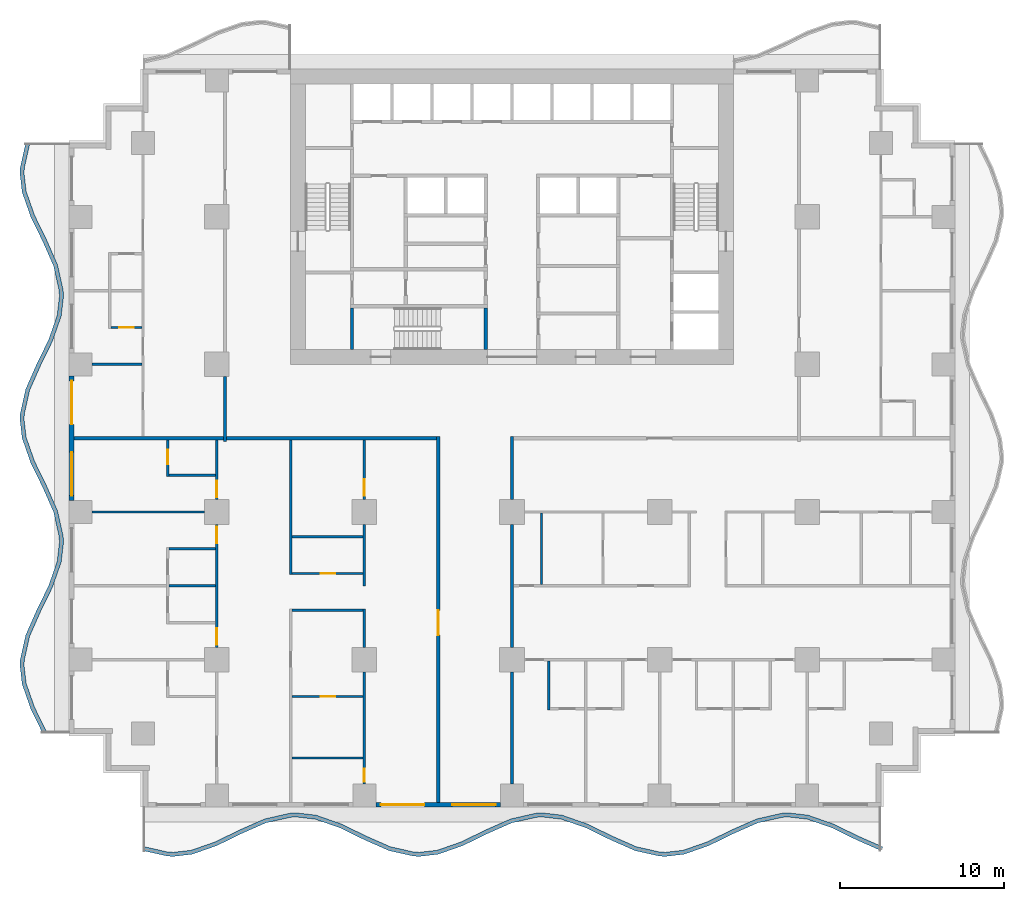
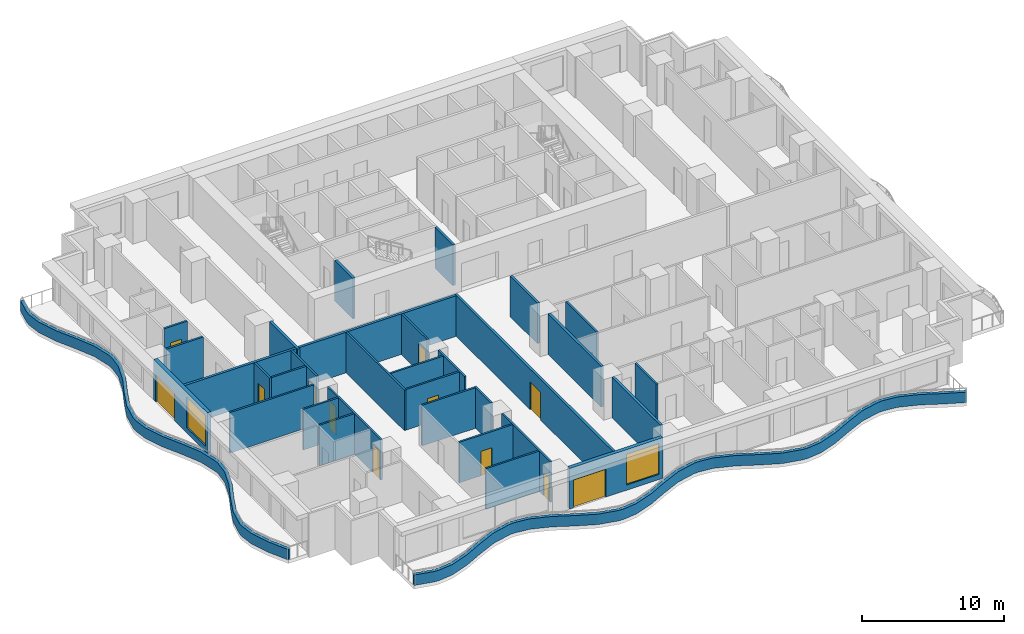
# One storey, part 2 of 14: 34 walls, 12 doors, 2 windows, 14 openings.
"""IFC4 building model written with IfcOpenShell, lengths in metres."""

import ifcopenshell
import ifcopenshell.guid

model = None  # the IFC model being written
_history = None  # IfcOwnerHistory: only IFC2X3 demands one
_inside = {}  # id of a spatial element -> (the spatial element, [elements in it])
_under = {}  # id of a project, library or spatial element -> (it, [spatial elements below it])
_declared = {}  # id of a project -> (the project, [libraries it declares])
_typed = {}  # id of a type object -> (the type object, [elements of that type])
_made_of = {}  # id of a material, layer set ... -> (it, [elements and type objects made of it])


def new_model(schema):
    """Start an empty IFC model of exactly this schema.

    Asked for "IFC4X3", IfcOpenShell would pick the latest addendum, in which some entities
    have other attributes; the version numbers below select the first issue.
    IFC2X3 requires an IfcOwnerHistory on every rooted entity: one is made here for all.
    """
    global model, _history
    if schema == "IFC4X3":
        model = ifcopenshell.file(schema_version=(4, 3, 0, 0))
    else:
        model = ifcopenshell.file(schema=schema)
    _inside.clear()
    _under.clear()
    _declared.clear()
    _typed.clear()
    _made_of.clear()
    _history = None
    if model.schema == "IFC2X3":
        org = make("IfcOrganization", Name="unknown")
        user = make(
            "IfcPersonAndOrganization",
            ThePerson=make("IfcPerson", FamilyName="unknown"),
            TheOrganization=org,
        )
        app = make(
            "IfcApplication",
            ApplicationDeveloper=org,
            Version="unknown",
            ApplicationFullName="unknown",
            ApplicationIdentifier="unknown",
        )
        _history = make(
            "IfcOwnerHistory",
            OwningUser=user,
            OwningApplication=app,
            ChangeAction="ADDED",
            CreationDate=0,
        )
    return model


def make(cls, **values):
    """One entity of the class cls with the attributes given. An attribute that is None is left unset."""
    return model.create_entity(
        cls, **{name: value for name, value in values.items() if value is not None}
    )


def rooted(cls, **values):
    """An entity with a GlobalId (a new one), such as an element, a storey or a relation."""
    return make(cls, GlobalId=ifcopenshell.guid.new(), OwnerHistory=_history, **values)


def si_unit(unit_type, name, prefix=None):
    """IfcSIUnit, for example si_unit("LENGTHUNIT", "METRE", prefix="MILLI")."""
    return make("IfcSIUnit", UnitType=unit_type, Prefix=prefix, Name=name)


def assignment(units):
    """IfcUnitAssignment: the units of a project."""
    return None if units is None else make("IfcUnitAssignment", Units=units)


def point(xyz):
    """IfcCartesianPoint."""
    return None if xyz is None else make("IfcCartesianPoint", Coordinates=xyz)


def direction(xyz):
    """IfcDirection."""
    return None if xyz is None else make("IfcDirection", DirectionRatios=xyz)


def frame(location, z_axis=None, x_axis=None):
    """IfcAxis2Placement3D, a coordinate frame: its origin and axes. An axis left out is left unset."""
    return make(
        "IfcAxis2Placement3D",
        Location=point(location),
        Axis=direction(z_axis),
        RefDirection=direction(x_axis),
    )


def frame_2d(location, x_axis=None):
    """IfcAxis2Placement2D, a coordinate frame in the plane: its origin and x axis."""
    return make(
        "IfcAxis2Placement2D", Location=point(location), RefDirection=direction(x_axis)
    )


def origin():
    """The frame at (0, 0, 0) with its axes left unset."""
    return frame((0.0, 0.0, 0.0))


def place(relative_to, where):
    """IfcLocalPlacement: puts the frame where relative to a parent placement (None: the world)."""
    return make(
        "IfcLocalPlacement", PlacementRelTo=relative_to, RelativePlacement=where
    )


def context(
    kind, dimensions, precision=None, world=None, true_north=None, identifier=None
):
    """IfcGeometricRepresentationContext, for example the 3D "Model" context."""
    return make(
        "IfcGeometricRepresentationContext",
        ContextIdentifier=identifier,
        ContextType=kind,
        CoordinateSpaceDimension=dimensions,
        Precision=precision,
        WorldCoordinateSystem=world,
        TrueNorth=true_north,
    )


def subcontext(parent, identifier, kind, view, scale=None):
    """IfcGeometricRepresentationSubContext, for example "Body" below "Model"."""
    return make(
        "IfcGeometricRepresentationSubContext",
        ContextIdentifier=identifier,
        ContextType=kind,
        ParentContext=parent,
        TargetScale=scale,
        TargetView=view,
    )


def project(units=None, contexts=None):
    """IfcProject with its units and contexts."""
    return rooted(
        "IfcProject",
        Name="project",
        RepresentationContexts=contexts,
        UnitsInContext=assignment(units),
    )


def spatial(cls, under=None, at=None, **own):
    """A site, building, storey or space (cls), placed at a placement, below another one or the project."""
    s = rooted(cls, ObjectPlacement=at, **own)
    if under is not None:
        _under.setdefault(under.id(), (under, []))[1].append(s)
    return s


def polyline(points):
    """IfcPolyline through the points."""
    return make("IfcPolyline", Points=[point(p) for p in points])


def profile(cls, at=None, kind="AREA", **sizes):
    """A parametric profile (cls). Its sizes go by their IFC names, for example OverallWidth=200.0."""
    return make(cls, ProfileType=kind, Position=at, **sizes)


def rectangle(**sizes):
    """IfcRectangleProfileDef."""
    return profile("IfcRectangleProfileDef", **sizes)


def outline(outer, holes=None, kind="AREA"):
    """IfcArbitraryClosedProfileDef: a profile drawn as a closed curve; with holes, ...WithVoids."""
    if holes is None:
        return make("IfcArbitraryClosedProfileDef", ProfileType=kind, OuterCurve=outer)
    return make(
        "IfcArbitraryProfileDefWithVoids",
        ProfileType=kind,
        OuterCurve=outer,
        InnerCurves=holes,
    )


def extrude(swept, where, along, depth):
    """IfcExtrudedAreaSolid: the profile swept, set in the frame where, extruded along a direction by depth."""
    return make(
        "IfcExtrudedAreaSolid",
        SweptArea=swept,
        Position=where,
        ExtrudedDirection=direction(along),
        Depth=depth,
    )


def shape(context_of_items, identifier, shape_type, items):
    """IfcShapeRepresentation: the items that make up one representation, for example the "Body"."""
    return make(
        "IfcShapeRepresentation",
        ContextOfItems=context_of_items,
        RepresentationIdentifier=identifier,
        RepresentationType=shape_type,
        Items=items,
    )


def material(Name=None, Category=None):
    """IfcMaterial."""
    return make("IfcMaterial", Name=Name, Category=Category)


def layer(
    of_material, thickness, ventilated=None, Name=None, Category=None, Priority=None
):
    """IfcMaterialLayer: one layer of a wall or slab, of a material (None: an air gap)."""
    return make(
        "IfcMaterialLayer",
        Material=of_material,
        LayerThickness=thickness,
        IsVentilated=ventilated,
        Name=Name,
        Category=Category,
        Priority=Priority,
    )


def layer_set(layers, Name=None):
    """IfcMaterialLayerSet."""
    return make("IfcMaterialLayerSet", MaterialLayers=layers, LayerSetName=Name)


def made_of(thing, what):
    """Note that an element or type object is made of a material, layer set ...; save() writes the relation."""
    if what is not None:
        _made_of.setdefault(what.id(), (what, []))[1].append(thing)
    return thing


def type_object(cls, material=None, **own):
    """A type object (cls), such as IfcWallType, which elements share."""
    return made_of(rooted(cls, **own), material)


def element(
    cls,
    number,
    at=None,
    inside=None,
    cuts=None,
    type_object=None,
    material=None,
    context=None,
    identifier="Body",
    shape_type=None,
    held_by="IfcProductDefinitionShape",
    body=None,
    shapes=None,
    **own,
):
    """One element of the class cls, such as IfcWall. Its Tag is "e" and its number.

    at: its placement. inside: the storey or other place that contains it. cuts: it is an
    opening in that element (IfcRelVoidsElement). A single representation is given by context,
    identifier, shape_type and body (its items); several are given by shapes. held_by: the class
    of the entity that holds the representations. save() writes the other relations.
    """
    e = rooted(cls, Tag="e%d" % number, ObjectPlacement=at, **own)
    if body is not None:
        shapes = [shape(context, identifier, shape_type, body)]
    if shapes is not None:
        e.Representation = make(held_by, Representations=shapes)
    if inside is not None:
        _inside.setdefault(inside.id(), (inside, []))[1].append(e)
    if cuts is not None:
        rooted(
            "IfcRelVoidsElement", RelatingBuildingElement=cuts, RelatedOpeningElement=e
        )
    if type_object is not None:
        _typed.setdefault(type_object.id(), (type_object, []))[1].append(e)
    return made_of(e, material)


def fill(opening, filler):
    """IfcRelFillsElement: the door or window that sits in an opening."""
    return rooted(
        "IfcRelFillsElement",
        RelatingOpeningElement=opening,
        RelatedBuildingElement=filler,
    )


def aggregate(whole, parts):
    """IfcRelAggregates: a whole, such as a stair, and the parts it consists of."""
    return rooted("IfcRelAggregates", RelatingObject=whole, RelatedObjects=parts)


def save(model, path):
    """Write the relations noted so far, then the file.

    IfcRelAggregates (storeys below a building ...), IfcRelContainedInSpatialStructure (elements
    in a storey), IfcRelDefinesByType, IfcRelAssociatesMaterial and IfcRelDeclares: one each for
    every whole, place, type object, material and project.
    """
    for whole, parts in _under.values():
        aggregate(whole, parts)
    for where, things in _inside.values():
        rooted(
            "IfcRelContainedInSpatialStructure",
            RelatedElements=things,
            RelatingStructure=where,
        )
    for kind, things in _typed.values():
        rooted("IfcRelDefinesByType", RelatedObjects=things, RelatingType=kind)
    for what, things in _made_of.values():
        rooted("IfcRelAssociatesMaterial", RelatedObjects=things, RelatingMaterial=what)
    for by, libraries in _declared.values():
        rooted("IfcRelDeclares", RelatingContext=by, RelatedDefinitions=libraries)
    model.write(path)


model = new_model("IFC4")

# Units and contexts
model_context = context("Model", 3, precision=1e-05, world=origin(), true_north=direction((0.0, 1.0)))
body_context = subcontext(model_context, "Body", "Model", "MODEL_VIEW")
ifc_project = project(units=[si_unit("LENGTHUNIT", "METRE"), si_unit("AREAUNIT", "SQUARE_METRE"), si_unit("VOLUMEUNIT", "CUBIC_METRE"), si_unit("PLANEANGLEUNIT", "RADIAN"), si_unit("MASSUNIT", "GRAM", prefix="KILO")], contexts=[model_context])

# Site, building, storey
site_placement = place(None, origin())
site = spatial("IfcSite", under=ifc_project, at=site_placement, CompositionType="ELEMENT")
building_placement = place(site_placement, origin())
building = spatial("IfcBuilding", under=site, at=building_placement, Name="Orbiselva Terraces", CompositionType="ELEMENT")
storey_placement = place(building_placement, frame((0.0, 0.0, 49.2)))
storey = spatial("IfcBuildingStorey", under=building, at=storey_placement, Name="L12", CompositionType="ELEMENT", Elevation=49.2)

# Walls
ifc_material_1 = material(Name="Concrete C60/75", Category="concrete")
ifc_layer_1 = layer(ifc_material_1, 0.2)
ifc_layer_set_1 = layer_set([ifc_layer_1], Name="Concrete C60/75")
wall_type_1 = type_object("IfcWallType", Name="CORE-WALL-SHEAR-200", PredefinedType="SHEAR", material=ifc_layer_set_1)
for number, where, z_axis, x_axis, name in (
    (1, (-9.75, 5.4, 0.0), (0.0, 0.0, 1.0), (0.0, 1.0, 0.0), "L12 core wall 03"),
    (2, (-1.6, 5.4, 0.0), (0.0, 0.0, 1.0), (0.0, 1.0, 0.0), "L12 core wall 23"),
):
    element("IfcWall", number, at=place(storey_placement, frame(where, z_axis=z_axis, x_axis=x_axis)), inside=storey, type_object=wall_type_1, Name=name, PredefinedType="SHEAR", context=body_context, shape_type="SweptSolid", body=[
        extrude(rectangle(XDim=2.55, YDim=0.2, at=frame_2d((1.275, 0.0))), origin(), (0.0, 0.0, 1.0), 3.5),
    ])
ifc_material_2 = material(Name="Concrete C40/50", Category="concrete")
ifc_layer_2 = layer(ifc_material_2, 0.25)
ifc_layer_set_2 = layer_set([ifc_layer_2], Name="Concrete C40/50")
wall_type_2 = type_object("IfcWallType", Name="ENV-PLANTER-250x900", PredefinedType="USERDEFINED", material=ifc_layer_set_2)
wall_1_placement = place(storey_placement, origin())
element("IfcWall", 3, at=wall_1_placement, inside=storey, type_object=wall_type_2, Name="Balcony planter L12 S", ObjectType="PLANTER", PredefinedType="USERDEFINED", context=body_context, shape_type="SweptSolid", body=[
    extrude(outline(polyline([(-22.5, -25.148528), (-21.0, -25.485226), (-20.625, -25.5), (-19.5, -25.369208), (-18.0, -24.844789), (-16.5, -24.112279), (-15.0, -23.451472), (-13.5, -23.114774), (-13.125, -23.1), (-12.0, -23.230792), (-10.5, -23.755211), (-9.0, -24.487721), (-7.5, -25.148528), (-6.0, -25.485226), (-5.625, -25.5), (-4.5, -25.369208), (-3.0, -24.844789), (-1.5, -24.112279), (0.0, -23.451472), (1.5, -23.114774), (1.875, -23.1), (3.0, -23.230792), (4.5, -23.755211), (6.0, -24.487721), (7.5, -25.148528), (9.0, -25.485226), (9.375, -25.5), (10.5, -25.369208), (12.0, -24.844789), (13.5, -24.112279), (15.0, -23.451472), (16.5, -23.114774), (16.875, -23.1), (18.0, -23.230792), (19.5, -23.755211), (21.0, -24.487721), (22.5, -25.148528), (22.600788, -24.919745), (21.105286, -24.260919), (19.59644, -23.524089), (18.056371, -22.985662), (16.884572, -22.849429), (16.467435, -22.865863), (14.921492, -23.212874), (13.394714, -23.885477), (11.90356, -24.613667), (10.443629, -25.124078), (9.365428, -25.249429), (9.032565, -25.236315), (7.578508, -24.90993), (6.105286, -24.260919), (4.59644, -23.524089), (3.056371, -22.985662), (1.884572, -22.849429), (1.467435, -22.865863), (-0.078508, -23.212874), (-1.605286, -23.885477), (-3.09644, -24.613667), (-4.556371, -25.124078), (-5.634572, -25.249429), (-5.967435, -25.236315), (-7.421492, -24.90993), (-8.894714, -24.260919), (-10.40356, -23.524089), (-11.943629, -22.985662), (-13.115428, -22.849429), (-13.532565, -22.865863), (-15.078508, -23.212874), (-16.605286, -23.885477), (-18.09644, -24.613667), (-19.556371, -25.124078), (-20.634572, -25.249429), (-20.967435, -25.236315), (-22.445246, -24.904598), (-22.5, -25.148528)])), origin(), (0.0, 0.0, 1.0), 0.9),
])
wall_2_placement = place(storey_placement, origin())
element("IfcWall", 4, at=wall_2_placement, inside=storey, type_object=wall_type_2, Name="Balcony planter L12 W", ObjectType="PLANTER", PredefinedType="USERDEFINED", context=body_context, shape_type="SweptSolid", body=[
    extrude(outline(polyline([(-29.648528, 18.0), (-29.985226, 16.5), (-30.0, 16.125), (-29.869208, 15.0), (-29.344789, 13.5), (-28.612279, 12.0), (-27.951472, 10.5), (-27.614774, 9.0), (-27.6, 8.625), (-27.730792, 7.5), (-28.255211, 6.0), (-28.987721, 4.5), (-29.648528, 3.0), (-29.985226, 1.5), (-30.0, 1.125), (-29.869208, 0.0), (-29.344789, -1.5), (-28.612279, -3.0), (-27.951472, -4.5), (-27.614774, -6.0), (-27.6, -6.375), (-27.730792, -7.5), (-28.255211, -9.0), (-28.987721, -10.5), (-29.648528, -12.0), (-29.985226, -13.5), (-30.0, -13.875), (-29.869208, -15.0), (-29.344789, -16.5), (-28.612279, -18.0), (-28.387634, -17.890297), (-29.113667, -16.40356), (-29.624078, -14.943629), (-29.749429, -13.865428), (-29.736315, -13.532565), (-29.40993, -12.078508), (-28.760919, -10.605286), (-28.024089, -9.09644), (-27.485662, -7.556371), (-27.349429, -6.384572), (-27.365863, -5.967435), (-27.712874, -4.421492), (-28.385477, -2.894714), (-29.113667, -1.40356), (-29.624078, 0.056371), (-29.749429, 1.134572), (-29.736315, 1.467435), (-29.40993, 2.921492), (-28.760919, 4.394714), (-28.024089, 5.90356), (-27.485662, 7.443629), (-27.349429, 8.615428), (-27.365863, 9.032565), (-27.712874, 10.578508), (-28.385477, 12.105286), (-29.113667, 13.59644), (-29.624078, 15.056371), (-29.749429, 16.134572), (-29.736315, 16.467435), (-29.404598, 17.945246), (-29.648528, 18.0)])), origin(), (0.0, 0.0, 1.0), 0.9),
])

# Wall, openings, door, window
ifc_material_3 = material(Name="Terracotta cladding on masonry backing", Category="masonry")
ifc_layer_3 = layer(ifc_material_3, 0.3)
ifc_layer_set_3 = layer_set([ifc_layer_3], Name="Terracotta cladding on masonry backing")
wall_type_3 = type_object("IfcWallType", Name="ENV-WALL-TERRACOTTA-300", PredefinedType="SOLIDWALL", material=ifc_layer_set_3)
wall_3_placement = place(storey_placement, frame((-0.7, -22.35, 0.0), z_axis=(0.0, 0.0, 1.0), x_axis=(-1.0, 0.0, 0.0)))
wall_3 = element("IfcWall", 5, at=wall_3_placement, inside=storey, type_object=wall_type_3, Name="Facade wall L12 S", PredefinedType="SOLIDWALL", context=body_context, shape_type="SweptSolid", body=[
    extrude(rectangle(XDim=7.6, YDim=0.3, at=frame_2d((3.8, 0.0))), origin(), (0.0, 0.0, 1.0), 3.5),
])
opening_1_placement = place(wall_3_placement, frame((4.65, 0.0, 0.0)))
opening_1 = element("IfcOpeningElement", 6, at=opening_1_placement, cuts=wall_3, Name="Opening Z1-D-E02", PredefinedType="OPENING", context=body_context, shape_type="SweptSolid", body=[
    extrude(rectangle(XDim=2.65, YDim=2.4, at=frame_2d((1.325, 1.2))), frame((0.0, 0.16, 0.0), z_axis=(0.0, -1.0, 0.0), x_axis=(1.0, 0.0, 0.0)), (0.0, 0.0, 1.0), 0.32),
])
opening_2_placement = place(wall_3_placement, frame((0.3, 0.0, 0.45)))
opening_2 = element("IfcOpeningElement", 7, at=opening_2_placement, cuts=wall_3, Name="Opening WN3", PredefinedType="OPENING", context=body_context, shape_type="SweptSolid", body=[
    extrude(rectangle(XDim=2.65, YDim=2.65, at=frame_2d((1.325, 1.325))), frame((0.0, 0.16, 0.0), z_axis=(0.0, -1.0, 0.0), x_axis=(1.0, 0.0, 0.0)), (0.0, 0.0, 1.0), 0.32),
])
ifc_material_4 = material(Name="Clear low-e glazing in aluminium frame", Category="aluminium")
door_type_1 = type_object("IfcDoorType", Name="BALCONY DOOR 2650 X 2400", OperationType="DOUBLE_DOOR_SLIDING", PredefinedType="DOOR", material=ifc_material_4)
door_1_placement = place(opening_1_placement, origin())
door_1 = element("IfcDoor", 8, at=door_1_placement, inside=storey, type_object=door_type_1, Name="Z1-D-E02", OperationType="SINGLE_SWING_LEFT", OverallHeight=2.4, OverallWidth=2.65, PredefinedType="DOOR", context=body_context, shape_type="SweptSolid", body=[
    extrude(rectangle(XDim=2.65, YDim=2.4, at=frame_2d((1.325, 1.2))), frame((0.0, 0.025, 0.0), z_axis=(0.0, -1.0, 0.0), x_axis=(1.0, 0.0, 0.0)), (0.0, 0.0, 1.0), 0.05),
])
fill(opening_1, door_1)
window_type = type_object("IfcWindowType", Name="WINDOW 2650 X 2650 S450", PartitioningType="TRIPLE_PANEL_VERTICAL", PredefinedType="WINDOW", material=ifc_material_4)
window_1_placement = place(opening_2_placement, origin())
window_1 = element("IfcWindow", 9, at=window_1_placement, inside=storey, type_object=window_type, Name="Window L12 S", OverallHeight=2.65, OverallWidth=2.65, PartitioningType="SINGLE_PANEL", PredefinedType="WINDOW", context=body_context, shape_type="SweptSolid", body=[
    extrude(rectangle(XDim=2.65, YDim=2.65, at=frame_2d((1.325, 1.325))), frame((0.0, 0.03, 0.0), z_axis=(0.0, -1.0, 0.0), x_axis=(1.0, 0.0, 0.0)), (0.0, 0.0, 1.0), 0.06),
])
fill(opening_2, window_1)

wall_4_placement = place(storey_placement, frame((-26.85, -3.8, 0.0), z_axis=(0.0, 0.0, 1.0), x_axis=(0.0, 1.0, 0.0)))
wall_4 = element("IfcWall", 10, at=wall_4_placement, inside=storey, type_object=wall_type_3, Name="Facade wall L12 W", PredefinedType="SOLIDWALL", context=body_context, shape_type="SweptSolid", body=[
    extrude(rectangle(XDim=7.6, YDim=0.3, at=frame_2d((3.8, 0.0))), origin(), (0.0, 0.0, 1.0), 3.5),
])
opening_3_placement = place(wall_4_placement, frame((4.65, 0.0, 0.0)))
opening_3 = element("IfcOpeningElement", 11, at=opening_3_placement, cuts=wall_4, Name="Opening Z1-D-E12", PredefinedType="OPENING", context=body_context, shape_type="SweptSolid", body=[
    extrude(rectangle(XDim=2.65, YDim=2.4, at=frame_2d((1.325, 1.2))), frame((0.0, 0.16, 0.0), z_axis=(0.0, -1.0, 0.0), x_axis=(1.0, 0.0, 0.0)), (0.0, 0.0, 1.0), 0.32),
])
opening_4_placement = place(wall_4_placement, frame((0.3, 0.0, 0.45)))
opening_4 = element("IfcOpeningElement", 12, at=opening_4_placement, cuts=wall_4, Name="Opening WN3", PredefinedType="OPENING", context=body_context, shape_type="SweptSolid", body=[
    extrude(rectangle(XDim=2.65, YDim=2.65, at=frame_2d((1.325, 1.325))), frame((0.0, 0.16, 0.0), z_axis=(0.0, -1.0, 0.0), x_axis=(1.0, 0.0, 0.0)), (0.0, 0.0, 1.0), 0.32),
])
door_2_placement = place(opening_3_placement, origin())
door_2 = element("IfcDoor", 13, at=door_2_placement, inside=storey, type_object=door_type_1, Name="Z1-D-E12", OperationType="SINGLE_SWING_LEFT", OverallHeight=2.4, OverallWidth=2.65, PredefinedType="DOOR", context=body_context, shape_type="SweptSolid", body=[
    extrude(rectangle(XDim=2.65, YDim=2.4, at=frame_2d((1.325, 1.2))), frame((0.0, 0.025, 0.0), z_axis=(0.0, -1.0, 0.0), x_axis=(1.0, 0.0, 0.0)), (0.0, 0.0, 1.0), 0.05),
])
fill(opening_3, door_2)
window_2_placement = place(opening_4_placement, origin())
window_2 = element("IfcWindow", 14, at=window_2_placement, inside=storey, type_object=window_type, Name="Window L12 W", OverallHeight=2.65, OverallWidth=2.65, PartitioningType="SINGLE_PANEL", PredefinedType="WINDOW", context=body_context, shape_type="SweptSolid", body=[
    extrude(rectangle(XDim=2.65, YDim=2.65, at=frame_2d((1.325, 1.325))), frame((0.0, 0.03, 0.0), z_axis=(0.0, -1.0, 0.0), x_axis=(1.0, 0.0, 0.0)), (0.0, 0.0, 1.0), 0.06),
])
fill(opening_4, window_2)

# Walls
ifc_material_5 = material(Name="Plasterboard on steel stud partition", Category="steel")
ifc_layer_4 = layer(ifc_material_5, 0.2)
ifc_layer_set_4 = layer_set([ifc_layer_4], Name="Plasterboard on steel stud partition")
wall_type_4 = type_object("IfcWallType", Name="UNIT-ENTRANCE-WALL-200", PredefinedType="PARTITIONING", material=ifc_layer_set_4)
wall_5_placement = place(storey_placement, frame((-17.4, 0.0, 0.0), z_axis=(0.0, 0.0, 1.0), x_axis=(1.0, 0.0, 0.0)))
element("IfcWall", 15, at=wall_5_placement, inside=storey, type_object=wall_type_4, Name="PARTITION L12-028", PredefinedType="PARTITIONING", context=body_context, shape_type="SweptSolid", body=[
    extrude(rectangle(XDim=12.8, YDim=0.2, at=frame_2d((6.4, 0.0))), origin(), (0.0, 0.0, 1.0), 3.5),
])
wall_6_placement = place(storey_placement, frame((-17.5, -0.2, 0.0), z_axis=(0.0, 0.0, 1.0), x_axis=(0.0, 1.0, 0.0)))
element("IfcWall", 16, at=wall_6_placement, inside=storey, type_object=wall_type_4, Name="PARTITION L12-050", PredefinedType="PARTITIONING", context=body_context, shape_type="SweptSolid", body=[
    extrude(rectangle(XDim=3.95, YDim=0.2, at=frame_2d((1.975, 0.0))), origin(), (0.0, 0.0, 1.0), 3.5),
])

# Wall, opening, door
wall_7_placement = place(storey_placement, frame((-4.5, -22.2, 0.0), z_axis=(0.0, 0.0, 1.0), x_axis=(0.0, 1.0, 0.0)))
wall_7 = element("IfcWall", 17, at=wall_7_placement, inside=storey, type_object=wall_type_4, Name="PARTITION L12-059", PredefinedType="PARTITIONING", context=body_context, shape_type="SweptSolid", body=[
    extrude(rectangle(XDim=22.3, YDim=0.2, at=frame_2d((11.15, 0.0))), origin(), (0.0, 0.0, 1.0), 3.5),
])
opening_5_placement = place(wall_7_placement, frame((10.2, 0.0, 0.0)))
opening_5 = element("IfcOpeningElement", 18, at=opening_5_placement, cuts=wall_7, Name="Opening Z1-D-13", PredefinedType="OPENING", context=body_context, shape_type="SweptSolid", body=[
    extrude(rectangle(XDim=1.5, YDim=2.4, at=frame_2d((0.75, 1.2))), frame((0.0, 0.11, 0.0), z_axis=(0.0, -1.0, 0.0), x_axis=(1.0, 0.0, 0.0)), (0.0, 0.0, 1.0), 0.22),
])
ifc_material_6 = material(Name="Painted timber door leaf", Category="wood")
door_type_2 = type_object("IfcDoorType", Name="ENTRANCE DOUBLE DOOR 1500", OperationType="NOTDEFINED", PredefinedType="DOOR", material=ifc_material_6)
door_3_placement = place(opening_5_placement, origin())
door_3 = element("IfcDoor", 19, at=door_3_placement, inside=storey, type_object=door_type_2, Name="Z1-D-13", OperationType="DOUBLE_DOOR_SINGLE_SWING", OverallHeight=2.4, OverallWidth=1.5, PredefinedType="DOOR", context=body_context, shape_type="SweptSolid", body=[
    extrude(rectangle(XDim=1.5, YDim=2.4, at=frame_2d((0.75, 1.2))), frame((0.0, 0.025, 0.0), z_axis=(0.0, -1.0, 0.0), x_axis=(1.0, 0.0, 0.0)), (0.0, 0.0, 1.0), 0.05),
])
fill(opening_5, door_3)

# Walls
wall_8_placement = place(storey_placement, frame((0.0, -21.1, 0.0), z_axis=(0.0, 0.0, 1.0), x_axis=(0.0, 1.0, 0.0)))
element("IfcWall", 20, at=wall_8_placement, inside=storey, type_object=wall_type_4, Name="PARTITION L12-060", PredefinedType="PARTITIONING", context=body_context, shape_type="SweptSolid", body=[
    extrude(rectangle(XDim=6.85, YDim=0.2, at=frame_2d((3.425, 0.0))), origin(), (0.0, 0.0, 1.0), 3.5),
])
wall_9_placement = place(storey_placement, frame((0.0, -12.75, 0.0), z_axis=(0.0, 0.0, 1.0), x_axis=(0.0, 1.0, 0.0)))
element("IfcWall", 21, at=wall_9_placement, inside=storey, type_object=wall_type_4, Name="PARTITION L12-061", PredefinedType="PARTITIONING", context=body_context, shape_type="SweptSolid", body=[
    extrude(rectangle(XDim=7.5, YDim=0.2, at=frame_2d((3.75, 0.0))), origin(), (0.0, 0.0, 1.0), 3.5),
])
wall_10_placement = place(storey_placement, frame((0.0, -3.75, 0.0), z_axis=(0.0, 0.0, 1.0), x_axis=(0.0, 1.0, 0.0)))
element("IfcWall", 22, at=wall_10_placement, inside=storey, type_object=wall_type_4, Name="PARTITION L12-062", PredefinedType="PARTITIONING", context=body_context, shape_type="SweptSolid", body=[
    extrude(rectangle(XDim=3.85, YDim=0.2, at=frame_2d((1.925, 0.0))), origin(), (0.0, 0.0, 1.0), 3.5),
])
ifc_layer_5 = layer(ifc_material_5, 0.15)
ifc_layer_set_5 = layer_set([ifc_layer_5], Name="Plasterboard on steel stud partition")
wall_type_5 = type_object("IfcWallType", Name="UNIT-PARTITION-150", PredefinedType="PARTITIONING", material=ifc_layer_set_5)
wall_11_placement = place(storey_placement, frame((-13.425, -19.5, 0.0), z_axis=(0.0, 0.0, 1.0), x_axis=(1.0, 0.0, 0.0)))
element("IfcWall", 23, at=wall_11_placement, inside=storey, type_object=wall_type_5, Name="PARTITION L12-001", PredefinedType="PARTITIONING", context=body_context, shape_type="SweptSolid", body=[
    extrude(rectangle(XDim=4.35, YDim=0.15, at=frame_2d((2.175, 0.0))), origin(), (0.0, 0.0, 1.0), 3.5),
])

# Wall, opening, door
wall_12_placement = place(storey_placement, frame((-9.075, -15.75, 0.0), z_axis=(0.0, 0.0, 1.0), x_axis=(-1.0, 0.0, 0.0)))
wall_12 = element("IfcWall", 24, at=wall_12_placement, inside=storey, type_object=wall_type_5, Name="PARTITION L12-008", PredefinedType="PARTITIONING", context=body_context, shape_type="SweptSolid", body=[
    extrude(rectangle(XDim=4.35, YDim=0.15, at=frame_2d((2.175, 0.0))), origin(), (0.0, 0.0, 1.0), 3.5),
])
opening_6_placement = place(wall_12_placement, frame((1.7, 0.0, 0.0)))
opening_6 = element("IfcOpeningElement", 25, at=opening_6_placement, cuts=wall_12, Name="Opening Z1-D-17", PredefinedType="OPENING", context=body_context, shape_type="SweptSolid", body=[
    extrude(rectangle(XDim=0.9, YDim=2.1, at=frame_2d((0.45, 1.05))), frame((0.0, 0.085, 0.0), z_axis=(0.0, -1.0, 0.0), x_axis=(1.0, 0.0, 0.0)), (0.0, 0.0, 1.0), 0.17),
])
door_type_3 = type_object("IfcDoorType", Name="BATH DOOR 900", OperationType="NOTDEFINED", PredefinedType="DOOR", material=ifc_material_6)
door_4_placement = place(opening_6_placement, origin())
door_4 = element("IfcDoor", 26, at=door_4_placement, inside=storey, type_object=door_type_3, Name="Z1-D-17", OperationType="SINGLE_SWING_LEFT", OverallHeight=2.1, OverallWidth=0.9, PredefinedType="DOOR", context=body_context, shape_type="SweptSolid", body=[
    extrude(rectangle(XDim=0.9, YDim=2.1, at=frame_2d((0.45, 1.05))), frame((0.0, 0.025, 0.0), z_axis=(0.0, -1.0, 0.0), x_axis=(1.0, 0.0, 0.0)), (0.0, 0.0, 1.0), 0.05),
])
fill(opening_6, door_4)

# Walls
wall_13_placement = place(storey_placement, frame((-13.425, -10.5, 0.0), z_axis=(0.0, 0.0, 1.0), x_axis=(1.0, 0.0, 0.0)))
element("IfcWall", 27, at=wall_13_placement, inside=storey, type_object=wall_type_5, Name="PARTITION L12-014", PredefinedType="PARTITIONING", context=body_context, shape_type="SweptSolid", body=[
    extrude(rectangle(XDim=4.35, YDim=0.15, at=frame_2d((2.175, 0.0))), origin(), (0.0, 0.0, 1.0), 3.5),
])
wall_14_placement = place(storey_placement, frame((-20.925, -9.0, 0.0), z_axis=(0.0, 0.0, 1.0), x_axis=(1.0, 0.0, 0.0)))
element("IfcWall", 28, at=wall_14_placement, inside=storey, type_object=wall_type_5, Name="PARTITION L12-016", PredefinedType="PARTITIONING", context=body_context, shape_type="SweptSolid", body=[
    extrude(rectangle(XDim=2.85, YDim=0.15, at=frame_2d((1.425, 0.0))), origin(), (0.0, 0.0, 1.0), 3.5),
])

# Wall, opening, door
wall_15_placement = place(storey_placement, frame((-13.425, -8.25, 0.0), z_axis=(0.0, 0.0, 1.0), x_axis=(1.0, 0.0, 0.0)))
wall_15 = element("IfcWall", 29, at=wall_15_placement, inside=storey, type_object=wall_type_5, Name="PARTITION L12-019", PredefinedType="PARTITIONING", context=body_context, shape_type="SweptSolid", body=[
    extrude(rectangle(XDim=4.35, YDim=0.15, at=frame_2d((2.175, 0.0))), origin(), (0.0, 0.0, 1.0), 3.5),
])
opening_7_placement = place(wall_15_placement, frame((1.75, 0.0, 0.0)))
opening_7 = element("IfcOpeningElement", 30, at=opening_7_placement, cuts=wall_15, Name="Opening Z1-D-15", PredefinedType="OPENING", context=body_context, shape_type="SweptSolid", body=[
    extrude(rectangle(XDim=0.9, YDim=2.1, at=frame_2d((0.45, 1.05))), frame((0.0, 0.085, 0.0), z_axis=(0.0, -1.0, 0.0), x_axis=(1.0, 0.0, 0.0)), (0.0, 0.0, 1.0), 0.17),
])
door_5_placement = place(opening_7_placement, origin())
door_5 = element("IfcDoor", 31, at=door_5_placement, inside=storey, type_object=door_type_3, Name="Z1-D-15", OperationType="SINGLE_SWING_RIGHT", OverallHeight=2.1, OverallWidth=0.9, PredefinedType="DOOR", context=body_context, shape_type="SweptSolid", body=[
    extrude(rectangle(XDim=0.9, YDim=2.1, at=frame_2d((0.45, 1.05))), frame((0.0, 0.025, 0.0), z_axis=(0.0, -1.0, 0.0), x_axis=(1.0, 0.0, 0.0)), (0.0, 0.0, 1.0), 0.05),
])
fill(opening_7, door_5)

# Walls
wall_16_placement = place(storey_placement, frame((-20.925, -6.75, 0.0), z_axis=(0.0, 0.0, 1.0), x_axis=(1.0, 0.0, 0.0)))
element("IfcWall", 32, at=wall_16_placement, inside=storey, type_object=wall_type_5, Name="PARTITION L12-020", PredefinedType="PARTITIONING", context=body_context, shape_type="SweptSolid", body=[
    extrude(rectangle(XDim=2.85, YDim=0.15, at=frame_2d((1.425, 0.0))), origin(), (0.0, 0.0, 1.0), 3.5),
])
wall_17_placement = place(storey_placement, frame((-13.425, -6.0, 0.0), z_axis=(0.0, 0.0, 1.0), x_axis=(1.0, 0.0, 0.0)))
element("IfcWall", 33, at=wall_17_placement, inside=storey, type_object=wall_type_5, Name="PARTITION L12-021", PredefinedType="PARTITIONING", context=body_context, shape_type="SweptSolid", body=[
    extrude(rectangle(XDim=4.35, YDim=0.15, at=frame_2d((2.175, 0.0))), origin(), (0.0, 0.0, 1.0), 3.5),
])
wall_18_placement = place(storey_placement, frame((-25.6, -4.5, 0.0), z_axis=(0.0, 0.0, 1.0), x_axis=(1.0, 0.0, 0.0)))
element("IfcWall", 34, at=wall_18_placement, inside=storey, type_object=wall_type_5, Name="PARTITION L12-022", PredefinedType="PARTITIONING", context=body_context, shape_type="SweptSolid", body=[
    extrude(rectangle(XDim=6.85, YDim=0.15, at=frame_2d((3.425, 0.0))), origin(), (0.0, 0.0, 1.0), 3.5),
])
wall_19_placement = place(storey_placement, frame((-20.925, -2.25, 0.0), z_axis=(0.0, 0.0, 1.0), x_axis=(1.0, 0.0, 0.0)))
element("IfcWall", 35, at=wall_19_placement, inside=storey, type_object=wall_type_5, Name="PARTITION L12-027", PredefinedType="PARTITIONING", context=body_context, shape_type="SweptSolid", body=[
    extrude(rectangle(XDim=2.85, YDim=0.15, at=frame_2d((1.425, 0.0))), origin(), (0.0, 0.0, 1.0), 3.5),
])
wall_20_placement = place(storey_placement, frame((-25.6, 4.5, 0.0), z_axis=(0.0, 0.0, 1.0), x_axis=(1.0, 0.0, 0.0)))
element("IfcWall", 36, at=wall_20_placement, inside=storey, type_object=wall_type_5, Name="PARTITION L12-033", PredefinedType="PARTITIONING", context=body_context, shape_type="SweptSolid", body=[
    extrude(rectangle(XDim=3.025, YDim=0.15, at=frame_2d((1.5125, 0.0))), origin(), (0.0, 0.0, 1.0), 3.5),
])

# Wall, opening, door
wall_21_placement = place(storey_placement, frame((-24.45, 6.75, 0.0), z_axis=(0.0, 0.0, 1.0), x_axis=(1.0, 0.0, 0.0)))
wall_21 = element("IfcWall", 37, at=wall_21_placement, inside=storey, type_object=wall_type_5, Name="PARTITION L12-034", PredefinedType="PARTITIONING", context=body_context, shape_type="SweptSolid", body=[
    extrude(rectangle(XDim=1.875, YDim=0.15, at=frame_2d((0.9375, 0.0))), origin(), (0.0, 0.0, 1.0), 3.5),
])
opening_8_placement = place(wall_21_placement, frame((0.5, 0.0, 0.0)))
opening_8 = element("IfcOpeningElement", 38, at=opening_8_placement, cuts=wall_21, Name="Opening Z1-D-04", PredefinedType="OPENING", context=body_context, shape_type="SweptSolid", body=[
    extrude(rectangle(XDim=0.9, YDim=2.1, at=frame_2d((0.45, 1.05))), frame((0.0, 0.085, 0.0), z_axis=(0.0, -1.0, 0.0), x_axis=(1.0, 0.0, 0.0)), (0.0, 0.0, 1.0), 0.17),
])
door_6_placement = place(opening_8_placement, origin())
door_6 = element("IfcDoor", 39, at=door_6_placement, inside=storey, type_object=door_type_3, Name="Z1-D-04", OperationType="SINGLE_SWING_RIGHT", OverallHeight=2.1, OverallWidth=0.9, PredefinedType="DOOR", context=body_context, shape_type="SweptSolid", body=[
    extrude(rectangle(XDim=0.9, YDim=2.1, at=frame_2d((0.45, 1.05))), frame((0.0, 0.025, 0.0), z_axis=(0.0, -1.0, 0.0), x_axis=(1.0, 0.0, 0.0)), (0.0, 0.0, 1.0), 0.05),
])
fill(opening_8, door_6)

wall_22_placement = place(storey_placement, frame((-21.0, -0.1, 0.0), z_axis=(0.0, 0.0, 1.0), x_axis=(0.0, -1.0, 0.0)))
wall_22 = element("IfcWall", 40, at=wall_22_placement, inside=storey, type_object=wall_type_5, Name="PARTITION L12-046", PredefinedType="PARTITIONING", context=body_context, shape_type="SweptSolid", body=[
    extrude(rectangle(XDim=2.225, YDim=0.15, at=frame_2d((1.1125, 0.0))), origin(), (0.0, 0.0, 1.0), 3.5),
])
opening_9_placement = place(wall_22_placement, frame((0.6, 0.0, 0.0)))
opening_9 = element("IfcOpeningElement", 41, at=opening_9_placement, cuts=wall_22, Name="Opening Z1-D-20", PredefinedType="OPENING", context=body_context, shape_type="SweptSolid", body=[
    extrude(rectangle(XDim=0.9, YDim=2.1, at=frame_2d((0.45, 1.05))), frame((0.0, 0.085, 0.0), z_axis=(0.0, -1.0, 0.0), x_axis=(1.0, 0.0, 0.0)), (0.0, 0.0, 1.0), 0.17),
])
door_7_placement = place(opening_9_placement, origin())
door_7 = element("IfcDoor", 42, at=door_7_placement, inside=storey, type_object=door_type_3, Name="Z1-D-20", OperationType="SINGLE_SWING_LEFT", OverallHeight=2.1, OverallWidth=0.9, PredefinedType="DOOR", context=body_context, shape_type="SweptSolid", body=[
    extrude(rectangle(XDim=0.9, YDim=2.1, at=frame_2d((0.45, 1.05))), frame((0.0, 0.025, 0.0), z_axis=(0.0, -1.0, 0.0), x_axis=(1.0, 0.0, 0.0)), (0.0, 0.0, 1.0), 0.05),
])
fill(opening_9, door_7)

# Wall, openings, doors
wall_23_placement = place(storey_placement, frame((-18.0, -12.75, 0.0), z_axis=(0.0, 0.0, 1.0), x_axis=(0.0, 1.0, 0.0)))
wall_23 = element("IfcWall", 43, at=wall_23_placement, inside=storey, type_object=wall_type_5, Name="PARTITION L12-048", PredefinedType="PARTITIONING", context=body_context, shape_type="SweptSolid", body=[
    extrude(rectangle(XDim=7.5, YDim=0.15, at=frame_2d((3.75, 0.0))), origin(), (0.0, 0.0, 1.0), 3.5),
])
opening_10_placement = place(wall_23_placement, frame((6.35, 0.0, 0.0)))
opening_10 = element("IfcOpeningElement", 44, at=opening_10_placement, cuts=wall_23, Name="Opening Z1-D-21", PredefinedType="OPENING", context=body_context, shape_type="SweptSolid", body=[
    extrude(rectangle(XDim=1.0, YDim=2.4, at=frame_2d((0.5, 1.2))), frame((0.0, 0.085, 0.0), z_axis=(0.0, -1.0, 0.0), x_axis=(1.0, 0.0, 0.0)), (0.0, 0.0, 1.0), 0.17),
])
opening_11_placement = place(wall_23_placement, frame((0.15, 0.0, 0.0)))
opening_11 = element("IfcOpeningElement", 45, at=opening_11_placement, cuts=wall_23, Name="Opening Z1-D-23", PredefinedType="OPENING", context=body_context, shape_type="SweptSolid", body=[
    extrude(rectangle(XDim=1.0, YDim=2.4, at=frame_2d((0.5, 1.2))), frame((0.0, 0.085, 0.0), z_axis=(0.0, -1.0, 0.0), x_axis=(1.0, 0.0, 0.0)), (0.0, 0.0, 1.0), 0.17),
])
door_type_4 = type_object("IfcDoorType", Name="ROOM DOOR 1000", OperationType="NOTDEFINED", PredefinedType="DOOR", material=ifc_material_6)
door_8_placement = place(opening_10_placement, origin())
door_8 = element("IfcDoor", 46, at=door_8_placement, inside=storey, type_object=door_type_4, Name="Z1-D-21", OperationType="SINGLE_SWING_RIGHT", OverallHeight=2.4, OverallWidth=1.0, PredefinedType="DOOR", context=body_context, shape_type="SweptSolid", body=[
    extrude(rectangle(XDim=1.0, YDim=2.4, at=frame_2d((0.5, 1.2))), frame((0.0, 0.025, 0.0), z_axis=(0.0, -1.0, 0.0), x_axis=(1.0, 0.0, 0.0)), (0.0, 0.0, 1.0), 0.05),
])
fill(opening_10, door_8)
door_9_placement = place(opening_11_placement, origin())
door_9 = element("IfcDoor", 47, at=door_9_placement, inside=storey, type_object=door_type_4, Name="Z1-D-23", OperationType="SINGLE_SWING_LEFT", OverallHeight=2.4, OverallWidth=1.0, PredefinedType="DOOR", context=body_context, shape_type="SweptSolid", body=[
    extrude(rectangle(XDim=1.0, YDim=2.4, at=frame_2d((0.5, 1.2))), frame((0.0, 0.025, 0.0), z_axis=(0.0, -1.0, 0.0), x_axis=(1.0, 0.0, 0.0)), (0.0, 0.0, 1.0), 0.05),
])
fill(opening_11, door_9)

# Wall, opening, door
wall_24_placement = place(storey_placement, frame((-18.0, -3.75, 0.0), z_axis=(0.0, 0.0, 1.0), x_axis=(0.0, 1.0, 0.0)))
wall_24 = element("IfcWall", 48, at=wall_24_placement, inside=storey, type_object=wall_type_5, Name="PARTITION L12-049", PredefinedType="PARTITIONING", context=body_context, shape_type="SweptSolid", body=[
    extrude(rectangle(XDim=3.65, YDim=0.15, at=frame_2d((1.825, 0.0))), origin(), (0.0, 0.0, 1.0), 3.5),
])
opening_12_placement = place(wall_24_placement, frame((0.15, 0.0, 0.0)))
opening_12 = element("IfcOpeningElement", 49, at=opening_12_placement, cuts=wall_24, Name="Opening Z1-D-19", PredefinedType="OPENING", context=body_context, shape_type="SweptSolid", body=[
    extrude(rectangle(XDim=1.0, YDim=2.4, at=frame_2d((0.5, 1.2))), frame((0.0, 0.085, 0.0), z_axis=(0.0, -1.0, 0.0), x_axis=(1.0, 0.0, 0.0)), (0.0, 0.0, 1.0), 0.17),
])
door_10_placement = place(opening_12_placement, origin())
door_10 = element("IfcDoor", 50, at=door_10_placement, inside=storey, type_object=door_type_4, Name="Z1-D-19", OperationType="SINGLE_SWING_LEFT", OverallHeight=2.4, OverallWidth=1.0, PredefinedType="DOOR", context=body_context, shape_type="SweptSolid", body=[
    extrude(rectangle(XDim=1.0, YDim=2.4, at=frame_2d((0.5, 1.2))), frame((0.0, 0.025, 0.0), z_axis=(0.0, -1.0, 0.0), x_axis=(1.0, 0.0, 0.0)), (0.0, 0.0, 1.0), 0.05),
])
fill(opening_12, door_10)

# Wall
wall_25_placement = place(storey_placement, frame((-13.5, -8.325, 0.0), z_axis=(0.0, 0.0, 1.0), x_axis=(0.0, 1.0, 0.0)))
element("IfcWall", 51, at=wall_25_placement, inside=storey, type_object=wall_type_5, Name="PARTITION L12-054", PredefinedType="PARTITIONING", context=body_context, shape_type="SweptSolid", body=[
    extrude(rectangle(XDim=8.225, YDim=0.15, at=frame_2d((4.1125, 0.0))), origin(), (0.0, 0.0, 1.0), 3.5),
])

# Wall, opening, door
wall_26_placement = place(storey_placement, frame((-9.0, -21.1, 0.0), z_axis=(0.0, 0.0, 1.0), x_axis=(0.0, 1.0, 0.0)))
wall_26 = element("IfcWall", 52, at=wall_26_placement, inside=storey, type_object=wall_type_5, Name="PARTITION L12-055", PredefinedType="PARTITIONING", context=body_context, shape_type="SweptSolid", body=[
    extrude(rectangle(XDim=6.85, YDim=0.15, at=frame_2d((3.425, 0.0))), origin(), (0.0, 0.0, 1.0), 3.5),
])
opening_13_placement = place(wall_26_placement, frame((0.15, 0.0, 0.0)))
opening_13 = element("IfcOpeningElement", 53, at=opening_13_placement, cuts=wall_26, Name="Opening Z1-D-18", PredefinedType="OPENING", context=body_context, shape_type="SweptSolid", body=[
    extrude(rectangle(XDim=0.8, YDim=2.0, at=frame_2d((0.4, 1.0))), frame((0.0, 0.085, 0.0), z_axis=(0.0, -1.0, 0.0), x_axis=(1.0, 0.0, 0.0)), (0.0, 0.0, 1.0), 0.17),
])
door_type_5 = type_object("IfcDoorType", Name="STORE DOOR 800", OperationType="NOTDEFINED", PredefinedType="DOOR", material=ifc_material_6)
door_11_placement = place(opening_13_placement, origin())
door_11 = element("IfcDoor", 54, at=door_11_placement, inside=storey, type_object=door_type_5, Name="Z1-D-18", OperationType="SINGLE_SWING_LEFT", OverallHeight=2.0, OverallWidth=0.8, PredefinedType="DOOR", context=body_context, shape_type="SweptSolid", body=[
    extrude(rectangle(XDim=0.8, YDim=2.0, at=frame_2d((0.4, 1.0))), frame((0.0, 0.025, 0.0), z_axis=(0.0, -1.0, 0.0), x_axis=(1.0, 0.0, 0.0)), (0.0, 0.0, 1.0), 0.05),
])
fill(opening_13, door_11)

# Walls
wall_27_placement = place(storey_placement, frame((-9.0, -12.75, 0.0), z_axis=(0.0, 0.0, 1.0), x_axis=(0.0, 1.0, 0.0)))
element("IfcWall", 55, at=wall_27_placement, inside=storey, type_object=wall_type_5, Name="PARTITION L12-056", PredefinedType="PARTITIONING", context=body_context, shape_type="SweptSolid", body=[
    extrude(rectangle(XDim=2.325, YDim=0.15, at=frame_2d((1.1625, 0.0))), origin(), (0.0, 0.0, 1.0), 3.5),
])
wall_28_placement = place(storey_placement, frame((-9.0, -9.0, 0.0), z_axis=(0.0, 0.0, 1.0), x_axis=(0.0, 1.0, 0.0)))
element("IfcWall", 56, at=wall_28_placement, inside=storey, type_object=wall_type_5, Name="PARTITION L12-057", PredefinedType="PARTITIONING", context=body_context, shape_type="SweptSolid", body=[
    extrude(rectangle(XDim=3.75, YDim=0.15, at=frame_2d((1.875, 0.0))), origin(), (0.0, 0.0, 1.0), 3.5),
])

# Wall, opening, door
wall_29_placement = place(storey_placement, frame((-9.0, -3.75, 0.0), z_axis=(0.0, 0.0, 1.0), x_axis=(0.0, 1.0, 0.0)))
wall_29 = element("IfcWall", 57, at=wall_29_placement, inside=storey, type_object=wall_type_5, Name="PARTITION L12-058", PredefinedType="PARTITIONING", context=body_context, shape_type="SweptSolid", body=[
    extrude(rectangle(XDim=3.65, YDim=0.15, at=frame_2d((1.825, 0.0))), origin(), (0.0, 0.0, 1.0), 3.5),
])
opening_14_placement = place(wall_29_placement, frame((0.25, 0.0, 0.0)))
opening_14 = element("IfcOpeningElement", 58, at=opening_14_placement, cuts=wall_29, Name="Opening Z1-D-14", PredefinedType="OPENING", context=body_context, shape_type="SweptSolid", body=[
    extrude(rectangle(XDim=1.0, YDim=2.4, at=frame_2d((0.5, 1.2))), frame((0.0, 0.085, 0.0), z_axis=(0.0, -1.0, 0.0), x_axis=(1.0, 0.0, 0.0)), (0.0, 0.0, 1.0), 0.17),
])
door_12_placement = place(opening_14_placement, origin())
door_12 = element("IfcDoor", 59, at=door_12_placement, inside=storey, type_object=door_type_4, Name="Z1-D-14", OperationType="SINGLE_SWING_LEFT", OverallHeight=2.4, OverallWidth=1.0, PredefinedType="DOOR", context=body_context, shape_type="SweptSolid", body=[
    extrude(rectangle(XDim=1.0, YDim=2.4, at=frame_2d((0.5, 1.2))), frame((0.0, 0.025, 0.0), z_axis=(0.0, -1.0, 0.0), x_axis=(1.0, 0.0, 0.0)), (0.0, 0.0, 1.0), 0.05),
])
fill(opening_14, door_12)

# Walls
wall_30_placement = place(storey_placement, frame((1.8, -8.925, 0.0), z_axis=(0.0, 0.0, 1.0), x_axis=(0.0, 1.0, 0.0)))
element("IfcWall", 60, at=wall_30_placement, inside=storey, type_object=wall_type_5, Name="PARTITION L12-063", PredefinedType="PARTITIONING", context=body_context, shape_type="SweptSolid", body=[
    extrude(rectangle(XDim=4.35, YDim=0.15, at=frame_2d((2.175, 0.0))), origin(), (0.0, 0.0, 1.0), 3.5),
])
wall_31_placement = place(storey_placement, frame((2.25, -16.575, 0.0), z_axis=(0.0, 0.0, 1.0), x_axis=(0.0, 1.0, 0.0)))
element("IfcWall", 61, at=wall_31_placement, inside=storey, type_object=wall_type_5, Name="PARTITION L12-064", PredefinedType="PARTITIONING", context=body_context, shape_type="SweptSolid", body=[
    extrude(rectangle(XDim=3.0, YDim=0.15, at=frame_2d((1.5, 0.0))), origin(), (0.0, 0.0, 1.0), 3.5),
])
ifc_layer_6 = layer(ifc_material_5, 0.2)
ifc_layer_set_6 = layer_set([ifc_layer_6], Name="Plasterboard on steel stud partition")
wall_type_6 = type_object("IfcWallType", Name="UNIT-PARTY-WALL-200", PredefinedType="PARTITIONING", material=ifc_layer_set_6)
wall_32_placement = place(storey_placement, frame((-26.7, 0.0, 0.0), z_axis=(0.0, 0.0, 1.0), x_axis=(1.0, 0.0, 0.0)))
element("IfcWall", 62, at=wall_32_placement, inside=storey, type_object=wall_type_6, Name="PARTITION L12-030", PredefinedType="PARTITIONING", context=body_context, shape_type="SweptSolid", body=[
    extrude(rectangle(XDim=9.1, YDim=0.2, at=frame_2d((4.55, 0.0))), origin(), (0.0, 0.0, 1.0), 3.5),
])

save(model, "model.ifc")
